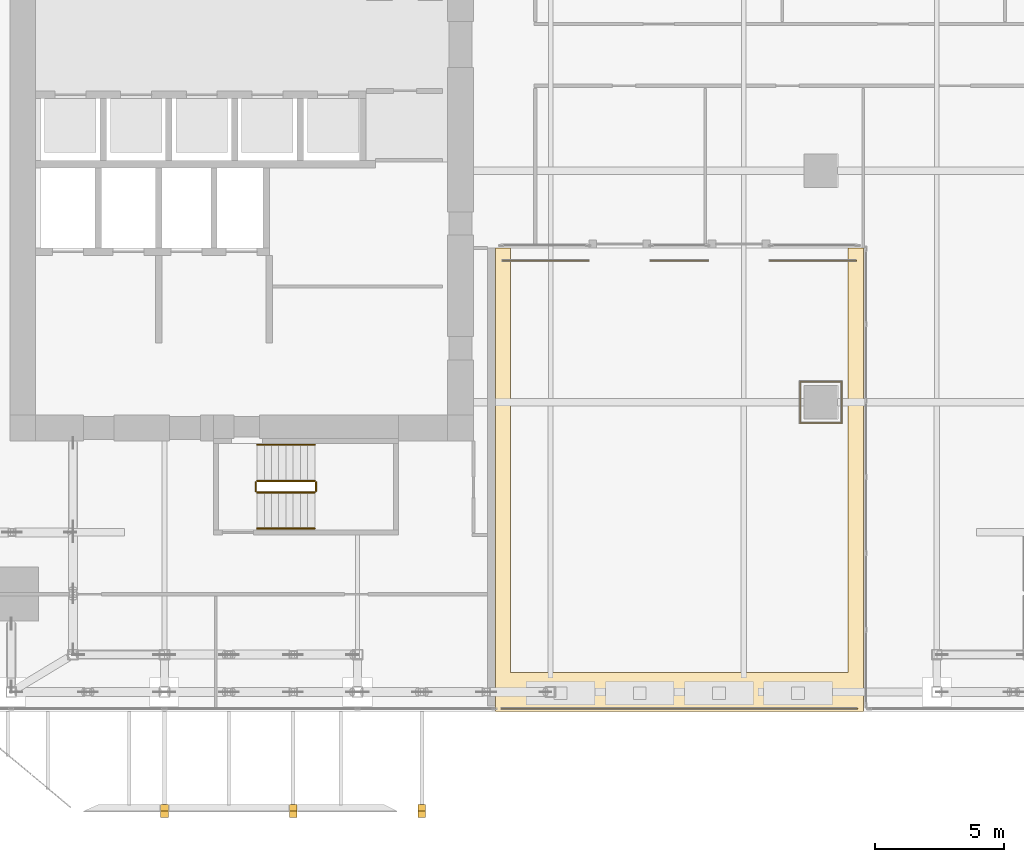
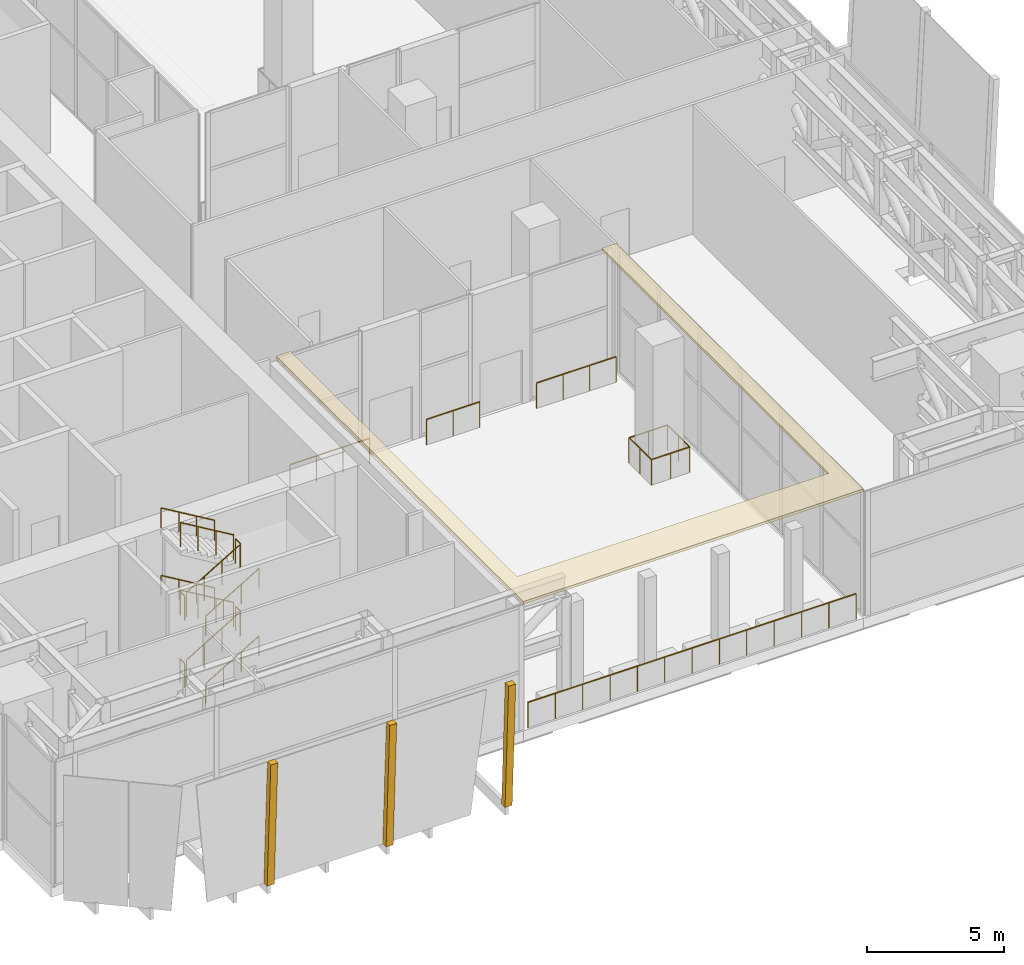
# One storey, part 44 of 47: 20 railings, 4 coverings.
"""IFC4 building model written with IfcOpenShell, lengths in metres."""

import ifcopenshell
import ifcopenshell.guid

model = None  # the IFC model being written
_history = None  # IfcOwnerHistory: only IFC2X3 demands one
_inside = {}  # id of a spatial element -> (the spatial element, [elements in it])
_under = {}  # id of a project, library or spatial element -> (it, [spatial elements below it])
_declared = {}  # id of a project -> (the project, [libraries it declares])
_typed = {}  # id of a type object -> (the type object, [elements of that type])
_made_of = {}  # id of a material, layer set ... -> (it, [elements and type objects made of it])


def new_model(schema):
    """Start an empty IFC model of exactly this schema.

    Asked for "IFC4X3", IfcOpenShell would pick the latest addendum, in which some entities
    have other attributes; the version numbers below select the first issue.
    IFC2X3 requires an IfcOwnerHistory on every rooted entity: one is made here for all.
    """
    global model, _history
    if schema == "IFC4X3":
        model = ifcopenshell.file(schema_version=(4, 3, 0, 0))
    else:
        model = ifcopenshell.file(schema=schema)
    _inside.clear()
    _under.clear()
    _declared.clear()
    _typed.clear()
    _made_of.clear()
    _history = None
    if model.schema == "IFC2X3":
        org = make("IfcOrganization", Name="unknown")
        user = make(
            "IfcPersonAndOrganization",
            ThePerson=make("IfcPerson", FamilyName="unknown"),
            TheOrganization=org,
        )
        app = make(
            "IfcApplication",
            ApplicationDeveloper=org,
            Version="unknown",
            ApplicationFullName="unknown",
            ApplicationIdentifier="unknown",
        )
        _history = make(
            "IfcOwnerHistory",
            OwningUser=user,
            OwningApplication=app,
            ChangeAction="ADDED",
            CreationDate=0,
        )
    return model


def make(cls, **values):
    """One entity of the class cls with the attributes given. An attribute that is None is left unset."""
    return model.create_entity(
        cls, **{name: value for name, value in values.items() if value is not None}
    )


def rooted(cls, **values):
    """An entity with a GlobalId (a new one), such as an element, a storey or a relation."""
    return make(cls, GlobalId=ifcopenshell.guid.new(), OwnerHistory=_history, **values)


def si_unit(unit_type, name, prefix=None):
    """IfcSIUnit, for example si_unit("LENGTHUNIT", "METRE", prefix="MILLI")."""
    return make("IfcSIUnit", UnitType=unit_type, Prefix=prefix, Name=name)


def assignment(units):
    """IfcUnitAssignment: the units of a project."""
    return None if units is None else make("IfcUnitAssignment", Units=units)


def point(xyz):
    """IfcCartesianPoint."""
    return None if xyz is None else make("IfcCartesianPoint", Coordinates=xyz)


def direction(xyz):
    """IfcDirection."""
    return None if xyz is None else make("IfcDirection", DirectionRatios=xyz)


def frame(location, z_axis=None, x_axis=None):
    """IfcAxis2Placement3D, a coordinate frame: its origin and axes. An axis left out is left unset."""
    return make(
        "IfcAxis2Placement3D",
        Location=point(location),
        Axis=direction(z_axis),
        RefDirection=direction(x_axis),
    )


def frame_2d(location, x_axis=None):
    """IfcAxis2Placement2D, a coordinate frame in the plane: its origin and x axis."""
    return make(
        "IfcAxis2Placement2D", Location=point(location), RefDirection=direction(x_axis)
    )


def origin():
    """The frame at (0, 0, 0) with its axes left unset."""
    return frame((0.0, 0.0, 0.0))


def origin_2d():
    """The frame at (0, 0) in the plane with its x axis left unset."""
    return frame_2d((0.0, 0.0))


def place(relative_to, where):
    """IfcLocalPlacement: puts the frame where relative to a parent placement (None: the world)."""
    return make(
        "IfcLocalPlacement", PlacementRelTo=relative_to, RelativePlacement=where
    )


def context(
    kind, dimensions, precision=None, world=None, true_north=None, identifier=None
):
    """IfcGeometricRepresentationContext, for example the 3D "Model" context."""
    return make(
        "IfcGeometricRepresentationContext",
        ContextIdentifier=identifier,
        ContextType=kind,
        CoordinateSpaceDimension=dimensions,
        Precision=precision,
        WorldCoordinateSystem=world,
        TrueNorth=true_north,
    )


def subcontext(parent, identifier, kind, view, scale=None):
    """IfcGeometricRepresentationSubContext, for example "Body" below "Model"."""
    return make(
        "IfcGeometricRepresentationSubContext",
        ContextIdentifier=identifier,
        ContextType=kind,
        ParentContext=parent,
        TargetScale=scale,
        TargetView=view,
    )


def project(units=None, contexts=None):
    """IfcProject with its units and contexts."""
    return rooted(
        "IfcProject",
        Name="project",
        RepresentationContexts=contexts,
        UnitsInContext=assignment(units),
    )


def spatial(cls, under=None, at=None, **own):
    """A site, building, storey or space (cls), placed at a placement, below another one or the project."""
    s = rooted(cls, ObjectPlacement=at, **own)
    if under is not None:
        _under.setdefault(under.id(), (under, []))[1].append(s)
    return s


def polyline(points):
    """IfcPolyline through the points."""
    return make("IfcPolyline", Points=[point(p) for p in points])


def profile(cls, at=None, kind="AREA", **sizes):
    """A parametric profile (cls). Its sizes go by their IFC names, for example OverallWidth=200.0."""
    return make(cls, ProfileType=kind, Position=at, **sizes)


def circle(**sizes):
    """IfcCircleProfileDef."""
    return profile("IfcCircleProfileDef", **sizes)


def outline(outer, holes=None, kind="AREA"):
    """IfcArbitraryClosedProfileDef: a profile drawn as a closed curve; with holes, ...WithVoids."""
    if holes is None:
        return make("IfcArbitraryClosedProfileDef", ProfileType=kind, OuterCurve=outer)
    return make(
        "IfcArbitraryProfileDefWithVoids",
        ProfileType=kind,
        OuterCurve=outer,
        InnerCurves=holes,
    )


def extrude(swept, where, along, depth):
    """IfcExtrudedAreaSolid: the profile swept, set in the frame where, extruded along a direction by depth."""
    return make(
        "IfcExtrudedAreaSolid",
        SweptArea=swept,
        Position=where,
        ExtrudedDirection=direction(along),
        Depth=depth,
    )


def shape(context_of_items, identifier, shape_type, items):
    """IfcShapeRepresentation: the items that make up one representation, for example the "Body"."""
    return make(
        "IfcShapeRepresentation",
        ContextOfItems=context_of_items,
        RepresentationIdentifier=identifier,
        RepresentationType=shape_type,
        Items=items,
    )


def source(mapping_origin, context_of_items, identifier, shape_type, items):
    """IfcRepresentationMap: a shape defined once, which mapped items show again and again."""
    return make(
        "IfcRepresentationMap",
        MappingOrigin=mapping_origin,
        MappedRepresentation=shape(context_of_items, identifier, shape_type, items),
    )


def transform(
    local_origin,
    x_axis=None,
    y_axis=None,
    z_axis=None,
    scale=None,
    scale2=None,
    scale3=None,
    uniform=True,
):
    """IfcCartesianTransformationOperator3D, or its non-uniform kind. x_axis, y_axis, z_axis: its Axis1, 2, 3."""
    if uniform:
        return make(
            "IfcCartesianTransformationOperator3D",
            Axis1=direction(x_axis),
            Axis2=direction(y_axis),
            LocalOrigin=point(local_origin),
            Scale=scale,
            Axis3=direction(z_axis),
        )
    return make(
        "IfcCartesianTransformationOperator3DnonUniform",
        Axis1=direction(x_axis),
        Axis2=direction(y_axis),
        LocalOrigin=point(local_origin),
        Scale=scale,
        Axis3=direction(z_axis),
        Scale2=scale2,
        Scale3=scale3,
    )


def mapped(mapping_source, mapping_target):
    """IfcMappedItem: shows the shape of a source again, moved by a transform."""
    return make(
        "IfcMappedItem", MappingSource=mapping_source, MappingTarget=mapping_target
    )


def material(Name=None, Category=None):
    """IfcMaterial."""
    return make("IfcMaterial", Name=Name, Category=Category)


def layer(
    of_material, thickness, ventilated=None, Name=None, Category=None, Priority=None
):
    """IfcMaterialLayer: one layer of a wall or slab, of a material (None: an air gap)."""
    return make(
        "IfcMaterialLayer",
        Material=of_material,
        LayerThickness=thickness,
        IsVentilated=ventilated,
        Name=Name,
        Category=Category,
        Priority=Priority,
    )


def layer_set(layers, Name=None):
    """IfcMaterialLayerSet."""
    return make("IfcMaterialLayerSet", MaterialLayers=layers, LayerSetName=Name)


def made_of(thing, what):
    """Note that an element or type object is made of a material, layer set ...; save() writes the relation."""
    if what is not None:
        _made_of.setdefault(what.id(), (what, []))[1].append(thing)
    return thing


def type_object(cls, material=None, **own):
    """A type object (cls), such as IfcWallType, which elements share."""
    return made_of(rooted(cls, **own), material)


def element(
    cls,
    number,
    at=None,
    inside=None,
    cuts=None,
    type_object=None,
    material=None,
    context=None,
    identifier="Body",
    shape_type=None,
    held_by="IfcProductDefinitionShape",
    body=None,
    shapes=None,
    **own,
):
    """One element of the class cls, such as IfcWall. Its Tag is "e" and its number.

    at: its placement. inside: the storey or other place that contains it. cuts: it is an
    opening in that element (IfcRelVoidsElement). A single representation is given by context,
    identifier, shape_type and body (its items); several are given by shapes. held_by: the class
    of the entity that holds the representations. save() writes the other relations.
    """
    e = rooted(cls, Tag="e%d" % number, ObjectPlacement=at, **own)
    if body is not None:
        shapes = [shape(context, identifier, shape_type, body)]
    if shapes is not None:
        e.Representation = make(held_by, Representations=shapes)
    if inside is not None:
        _inside.setdefault(inside.id(), (inside, []))[1].append(e)
    if cuts is not None:
        rooted(
            "IfcRelVoidsElement", RelatingBuildingElement=cuts, RelatedOpeningElement=e
        )
    if type_object is not None:
        _typed.setdefault(type_object.id(), (type_object, []))[1].append(e)
    return made_of(e, material)


def aggregate(whole, parts):
    """IfcRelAggregates: a whole, such as a stair, and the parts it consists of."""
    return rooted("IfcRelAggregates", RelatingObject=whole, RelatedObjects=parts)


def save(model, path):
    """Write the relations noted so far, then the file.

    IfcRelAggregates (storeys below a building ...), IfcRelContainedInSpatialStructure (elements
    in a storey), IfcRelDefinesByType, IfcRelAssociatesMaterial and IfcRelDeclares: one each for
    every whole, place, type object, material and project.
    """
    for whole, parts in _under.values():
        aggregate(whole, parts)
    for where, things in _inside.values():
        rooted(
            "IfcRelContainedInSpatialStructure",
            RelatedElements=things,
            RelatingStructure=where,
        )
    for kind, things in _typed.values():
        rooted("IfcRelDefinesByType", RelatedObjects=things, RelatingType=kind)
    for what, things in _made_of.values():
        rooted("IfcRelAssociatesMaterial", RelatedObjects=things, RelatingMaterial=what)
    for by, libraries in _declared.values():
        rooted("IfcRelDeclares", RelatingContext=by, RelatedDefinitions=libraries)
    model.write(path)


model = new_model("IFC4")

# Units and contexts
model_context = context("Model", 3, precision=1e-05, world=origin(), true_north=direction((0.0, 1.0)))
body_context = subcontext(model_context, "Body", "Model", "MODEL_VIEW")
ifc_project = project(units=[si_unit("LENGTHUNIT", "METRE"), si_unit("AREAUNIT", "SQUARE_METRE"), si_unit("VOLUMEUNIT", "CUBIC_METRE"), si_unit("PLANEANGLEUNIT", "RADIAN"), si_unit("MASSUNIT", "GRAM", prefix="KILO")], contexts=[model_context])

# Site, building, storey
site_placement = place(None, origin())
site = spatial("IfcSite", under=ifc_project, at=site_placement, CompositionType="ELEMENT")
building_placement = place(site_placement, origin())
building = spatial("IfcBuilding", under=site, at=building_placement, Name="Khomas Fold Tower", CompositionType="ELEMENT")
storey_placement = place(building_placement, frame((0.0, 0.0, 158.699951171875)))
storey = spatial("IfcBuildingStorey", under=building, at=storey_placement, Name="L34", CompositionType="ELEMENT", Elevation=158.699951171875)

# Coverings
ifc_material_1 = material(Name="Natural stone cladding", Category="masonry")
ifc_layer_1 = layer(ifc_material_1, 0.25)
ifc_layer_set_1 = layer_set([ifc_layer_1], Name="Natural stone cladding")
covering_type_1 = type_object("IfcCoveringType", Name="SK-Karibib marble stone mullion", PredefinedType="CLADDING", material=ifc_layer_set_1)
for number, where, z_axis, x_axis, name in (
    (1, (11.85009765625, -2.115234375, 0.0), (0.0, 0.998875482157, 0.047410664903), (0.0, -0.047410664903, 0.998875482157), "OUTER SKIN mullion L34 SM100-4"),
    (2, (16.85009765625, -2.115234375, 0.0), (0.0, 0.998875482157, 0.047410664903), (0.0, -0.047410664903, 0.998875482157), "OUTER SKIN mullion L34 SM101-6"),
    (3, (21.85009765625, -2.115234375, 0.0), (0.0, 0.998875482157, 0.047410664903), (0.0, -0.047410664903, 0.998875482157), "OUTER SKIN mullion L34 SM102-8"),
):
    element("IfcCovering", number, at=place(storey_placement, frame(where, z_axis=z_axis, x_axis=x_axis)), inside=storey, type_object=covering_type_1, Name=name, PredefinedType="CLADDING", context=body_context, shape_type="SweptSolid", body=[
        extrude(outline(polyline([(0.0, 0.0), (5.556296983226296, 0.0), (5.556296983226296, 0.2998046875), (0.0, 0.2998046875), (0.0, 0.0)])), origin(), (0.0, 0.0, -1.0), 0.25),
    ])

# Railings
ifc_material_2 = material(Name="Powder-coated steel", Category="steel")
railing_type_1 = type_object("IfcRailingType", Name="Balcony guard", PredefinedType="GUARDRAIL", material=ifc_material_2)
shared_shape_1 = source(origin(), body_context, "Body", "SweptSolid", [
    extrude(circle(Radius=0.02490234375, at=origin_2d()), frame((0.0, 0.0, 1.125), z_axis=(0.0, 1.0, 0.0), x_axis=(-1.0, 0.0, 0.0)), (0.0, 0.0, 1.0), 1.60986328125),
    extrude(circle(Radius=0.02490234375, at=origin_2d()), frame((0.0, 1.60986328125, 1.125), z_axis=(1.0, 0.0, 0.0), x_axis=(0.0, 1.0, 0.0)), (0.0, 0.0, 1.0), 1.60986328125),
    extrude(circle(Radius=0.02490234375, at=origin_2d()), frame((1.60986328125, 1.60986328125, 1.125), z_axis=(0.0, -1.0, 0.0), x_axis=(1.0, 0.0, 0.0)), (0.0, 0.0, 1.0), 1.60986328125),
    extrude(circle(Radius=0.02001953125, at=origin_2d()), origin(), (0.0, 0.0, 1.0), 1.099853515625),
    extrude(circle(Radius=0.02001953125, at=origin_2d()), frame((0.0, 0.804931640625, 0.0)), (0.0, 0.0, 1.0), 1.099853515625),
    extrude(circle(Radius=0.02001953125, at=origin_2d()), frame((0.0, 1.60986328125, 0.0)), (0.0, 0.0, 1.0), 1.099853515625),
    extrude(circle(Radius=0.02001953125, at=origin_2d()), frame((0.804931640625, 1.60986328125, 0.0)), (0.0, 0.0, 1.0), 1.099853515625),
    extrude(circle(Radius=0.02001953125, at=origin_2d()), frame((1.60986328125, 1.60986328125, 0.0)), (0.0, 0.0, 1.0), 1.099853515625),
    extrude(circle(Radius=0.02001953125, at=origin_2d()), frame((1.60986328125, 0.804931640625, 0.0)), (0.0, 0.0, 1.0), 1.099853515625),
    extrude(circle(Radius=0.02001953125, at=origin_2d()), frame((1.60986328125, 0.0, 0.0)), (0.0, 0.0, 1.0), 1.099853515625),
])
railing_1_placement = place(storey_placement, frame((36.695068359375, 12.695068359375, 0.0)))
element("IfcRailing", 4, at=railing_1_placement, inside=storey, type_object=railing_type_1, Name="GUARD 211", PredefinedType="GUARDRAIL", context=body_context, shape_type="MappedRepresentation", body=[
    mapped(shared_shape_1, transform((0.0, 0.0, 0.0))),
])
shared_shape_2 = source(origin(), body_context, "Body", "SweptSolid", [
    extrude(circle(Radius=0.02490234375, at=origin_2d()), frame((0.0, 0.0, 1.125), z_axis=(-1.0, 0.0, 0.0), x_axis=(0.0, -1.0, 0.0)), (0.0, 0.0, 1.0), 1.60986328125),
    extrude(circle(Radius=0.02001953125, at=origin_2d()), origin(), (0.0, 0.0, 1.0), 1.099853515625),
    extrude(circle(Radius=0.02001953125, at=origin_2d()), frame((-0.804931640625, 0.0, 0.0)), (0.0, 0.0, 1.0), 1.099853515625),
    extrude(circle(Radius=0.02001953125, at=origin_2d()), frame((-1.60986328125, 0.0, 0.0)), (0.0, 0.0, 1.0), 1.099853515625),
])
railing_2_placement = place(storey_placement, frame((38.304931640625, 12.695068359375, 0.0)))
element("IfcRailing", 5, at=railing_2_placement, inside=storey, type_object=railing_type_1, Name="GUARD 211", PredefinedType="GUARDRAIL", context=body_context, shape_type="MappedRepresentation", body=[
    mapped(shared_shape_2, transform((0.0, 0.0, 0.0))),
])
shared_shape_3 = source(origin(), body_context, "Body", "SweptSolid", [
    extrude(circle(Radius=0.02490234375, at=origin_2d()), frame((0.0, 0.0, 1.125), z_axis=(-1.0, 0.0, 0.0), x_axis=(0.0, -1.0, 0.0)), (0.0, 0.0, 1.0), 4.599853515625),
    extrude(circle(Radius=0.02001953125, at=origin_2d()), origin(), (0.0, 0.0, 1.0), 1.099853515625),
    extrude(circle(Radius=0.02001953125, at=origin_2d()), frame((-1.14990234375, 0.0, 0.0)), (0.0, 0.0, 1.0), 1.099853515625),
    extrude(circle(Radius=0.02001953125, at=origin_2d()), frame((-2.2998046875, 0.0, 0.0)), (0.0, 0.0, 1.0), 1.099853515625),
    extrude(circle(Radius=0.02001953125, at=origin_2d()), frame((-3.449951171875, 0.0, 0.0)), (0.0, 0.0, 1.0), 1.099853515625),
    extrude(circle(Radius=0.02001953125, at=origin_2d()), frame((-4.599853515625, 0.0, 0.0)), (0.0, 0.0, 1.0), 1.099853515625),
])
for number, where, name in (
    (6, (38.89990234375, 1.60009765625, 0.0), "GUARD 211"),
    (7, (29.699951171875, 1.60009765625, 0.0), "GUARD 211"),
):
    element("IfcRailing", number, at=place(storey_placement, frame(where)), inside=storey, type_object=railing_type_1, Name=name, PredefinedType="GUARDRAIL", context=body_context, shape_type="MappedRepresentation", body=[
        mapped(shared_shape_3, transform((0.0, 0.0, 0.0))),
    ])
shared_shape_4 = source(origin(), body_context, "Body", "SweptSolid", [
    extrude(circle(Radius=0.02490234375, at=origin_2d()), frame((0.0, 0.0, 1.125), z_axis=(-1.0, 0.0, 0.0), x_axis=(0.0, -1.0, 0.0)), (0.0, 0.0, 1.0), 4.60009765625),
    extrude(circle(Radius=0.02001953125, at=origin_2d()), origin(), (0.0, 0.0, 1.0), 1.099853515625),
    extrude(circle(Radius=0.02001953125, at=origin_2d()), frame((-1.14990234375, 0.0, 0.0)), (0.0, 0.0, 1.0), 1.099853515625),
    extrude(circle(Radius=0.02001953125, at=origin_2d()), frame((-2.300048828125, 0.0, 0.0)), (0.0, 0.0, 1.0), 1.099853515625),
    extrude(circle(Radius=0.02001953125, at=origin_2d()), frame((-3.4501953125, 0.0, 0.0)), (0.0, 0.0, 1.0), 1.099853515625),
    extrude(circle(Radius=0.02001953125, at=origin_2d()), frame((-4.60009765625, 0.0, 0.0)), (0.0, 0.0, 1.0), 1.099853515625),
])
railing_3_placement = place(storey_placement, frame((34.300048828125, 1.60009765625, 0.0)))
element("IfcRailing", 8, at=railing_3_placement, inside=storey, type_object=railing_type_1, Name="GUARD 211", PredefinedType="GUARDRAIL", context=body_context, shape_type="MappedRepresentation", body=[
    mapped(shared_shape_4, transform((0.0, 0.0, 0.0))),
])
shared_shape_5 = source(origin(), body_context, "Body", "SweptSolid", [
    extrude(circle(Radius=0.02490234375, at=origin_2d()), frame((0.0, 0.0, 1.125), z_axis=(1.0, 0.0, 0.0), x_axis=(0.0, 1.0, 0.0)), (0.0, 0.0, 1.0), 3.33349609375),
    extrude(circle(Radius=0.02001953125, at=origin_2d()), origin(), (0.0, 0.0, 1.0), 1.099853515625),
    extrude(circle(Radius=0.02001953125, at=origin_2d()), frame((1.111083984375, 0.0, 0.0)), (0.0, 0.0, 1.0), 1.099853515625),
    extrude(circle(Radius=0.02001953125, at=origin_2d()), frame((2.222412109375, 0.0, 0.0)), (0.0, 0.0, 1.0), 1.099853515625),
    extrude(circle(Radius=0.02001953125, at=origin_2d()), frame((3.33349609375, 0.0, 0.0)), (0.0, 0.0, 1.0), 1.099853515625),
])
for number, where, name in (
    (9, (25.14990234375, 19.0, 0.0), "GUARD 211"),
    (10, (35.5166015625, 19.0, 0.0), "GUARD 211"),
):
    element("IfcRailing", number, at=place(storey_placement, frame(where)), inside=storey, type_object=railing_type_1, Name=name, PredefinedType="GUARDRAIL", context=body_context, shape_type="MappedRepresentation", body=[
        mapped(shared_shape_5, transform((0.0, 0.0, 0.0))),
    ])
shared_shape_6 = source(origin(), body_context, "Body", "SweptSolid", [
    extrude(circle(Radius=0.02490234375, at=origin_2d()), frame((0.0, 0.0, 1.125), z_axis=(1.0, 0.0, 0.0), x_axis=(0.0, 1.0, 0.0)), (0.0, 0.0, 1.0), 2.2333984375),
    extrude(circle(Radius=0.02001953125, at=origin_2d()), origin(), (0.0, 0.0, 1.0), 1.099853515625),
    extrude(circle(Radius=0.02001953125, at=origin_2d()), frame((1.11669921875, 0.0, 0.0)), (0.0, 0.0, 1.0), 1.099853515625),
    extrude(circle(Radius=0.02001953125, at=origin_2d()), frame((2.2333984375, 0.0, 0.0)), (0.0, 0.0, 1.0), 1.099853515625),
])
railing_4_placement = place(storey_placement, frame((30.88330078125, 19.0, 0.0)))
element("IfcRailing", 11, at=railing_4_placement, inside=storey, type_object=railing_type_1, Name="GUARD 211", PredefinedType="GUARDRAIL", context=body_context, shape_type="MappedRepresentation", body=[
    mapped(shared_shape_6, transform((0.0, 0.0, 0.0))),
])

# Covering
ifc_material_3 = material(Name="Natural stone cladding", Category="masonry")
ifc_layer_2 = layer(ifc_material_3, 0.1201171875)
ifc_layer_set_2 = layer_set([ifc_layer_2], Name="Natural stone cladding")
covering_type_2 = type_object("IfcCoveringType", Name="Notch soffit stone GN-SF", PredefinedType="CLADDING", material=ifc_layer_set_2)
shared_shape_7 = source(origin(), body_context, "Body", "SweptSolid", [
    extrude(outline(polyline([(38.550048828125, 19.5), (38.550048828125, 3.0), (25.449951171875, 3.0), (25.449951171875, 19.5), (24.85009765625, 19.5), (24.85009765625, 1.5), (39.14990234375, 1.5), (39.14990234375, 19.5), (38.550048828125, 19.5)])), origin(), (0.0, 0.0, 1.0), 0.119873046875),
])
covering_placement = place(storey_placement, frame((0.0, 0.0, 5.630126953125)))
element("IfcCovering", 12, at=covering_placement, inside=storey, type_object=covering_type_2, Name="Notch soffit stone", PredefinedType="CLADDING", context=body_context, shape_type="MappedRepresentation", body=[
    mapped(shared_shape_7, transform((0.0, 0.0, 0.0))),
])

# Railings
ifc_material_4 = material(Name="Steel balustrade", Category="steel")
railing_type_2 = type_object("IfcRailingType", Name="Stair guard", PredefinedType="GUARDRAIL", material=ifc_material_4)
shared_shape_8 = source(origin(), body_context, "Body", "SweptSolid", [
    extrude(circle(Radius=0.02392578125, at=origin_2d()), frame((0.0, 0.0, 1.076171875), z_axis=(0.0, 1.0, 0.0), x_axis=(-1.0, 0.0, 0.0)), (0.0, 0.0, 1.0), 0.349853515625),
    extrude(circle(Radius=0.02099609375, at=origin_2d()), origin(), (0.0, 0.0, 1.0), 1.052001953125),
    extrude(circle(Radius=0.02099609375, at=origin_2d()), frame((0.0, 0.349853515625, 0.0)), (0.0, 0.0, 1.0), 1.052001953125),
])
for number, where, name in (
    (13, (17.889892578125, 10.050048828125, 1.5), "L34 ST2 stair guard 2"),
    (14, (15.550048828125, 10.050048828125, 3.0), "L34 ST2 stair guard 4"),
    (15, (17.889892578125, 10.050048828125, 4.5), "L34 ST2 stair guard 6"),
    (16, (15.550048828125, 10.050048828125, 0.0), "L34 ST2 stair guard 8"),
):
    element("IfcRailing", number, at=place(storey_placement, frame(where)), inside=storey, type_object=railing_type_2, Name=name, PredefinedType="GUARDRAIL", context=body_context, shape_type="MappedRepresentation", body=[
        mapped(shared_shape_8, transform((0.0, 0.0, 0.0))),
    ])
shared_shape_9 = source(origin(), body_context, "Body", "SweptSolid", [
    extrude(circle(Radius=0.02392578125, at=origin_2d()), frame((0.0, 0.0, 1.076171875), z_axis=(0.859305625298, 0.0, 0.511462454469), x_axis=(0.0, 1.0, 0.0)), (0.0, 0.0, 1.0), 2.606689453125),
    extrude(circle(Radius=0.02099609375, at=origin_2d()), origin(), (0.0, 0.0, 1.0), 1.052001953125),
    extrude(circle(Radius=0.02099609375, at=origin_2d()), frame((0.74658203125, 0.0, 0.4443359375)), (0.0, 0.0, 1.0), 1.052001953125),
    extrude(circle(Radius=0.02099609375, at=origin_2d()), frame((1.493408203125, 0.0, 0.888916015625)), (0.0, 0.0, 1.0), 1.052001953125),
    extrude(circle(Radius=0.02099609375, at=origin_2d()), frame((2.239990234375, 0.0, 1.333251953125)), (0.0, 0.0, 1.0), 1.052001953125),
])
for number, where, name in (
    (17, (15.60009765625, 10.0, 0.166748046875), "L34 ST2 stair guard 1"),
    (18, (15.60009765625, 10.0, 3.166748046875), "L34 ST2 stair guard 5"),
):
    element("IfcRailing", number, at=place(storey_placement, frame(where)), inside=storey, type_object=railing_type_2, Name=name, PredefinedType="GUARDRAIL", context=body_context, shape_type="MappedRepresentation", body=[
        mapped(shared_shape_9, transform((0.0, 0.0, 0.0))),
    ])
shared_shape_10 = source(origin(), body_context, "Body", "SweptSolid", [
    extrude(circle(Radius=0.02392578125, at=origin_2d()), frame((0.0, 0.0, 1.076171875), z_axis=(-0.859305625298, 0.0, 0.511462454469), x_axis=(0.0, -1.0, 0.0)), (0.0, 0.0, 1.0), 2.606689453125),
    extrude(circle(Radius=0.02099609375, at=origin_2d()), origin(), (0.0, 0.0, 1.0), 1.052001953125),
    extrude(circle(Radius=0.02099609375, at=origin_2d()), frame((-0.74658203125, 0.0, 0.4443359375)), (0.0, 0.0, 1.0), 1.052001953125),
    extrude(circle(Radius=0.02099609375, at=origin_2d()), frame((-1.493408203125, 0.0, 0.888916015625)), (0.0, 0.0, 1.0), 1.052001953125),
    extrude(circle(Radius=0.02099609375, at=origin_2d()), frame((-2.239990234375, 0.0, 1.333251953125)), (0.0, 0.0, 1.0), 1.052001953125),
])
for number, where, name in (
    (19, (17.840087890625, 10.449951171875, 1.666748046875), "L34 ST2 stair guard 3"),
    (20, (17.840087890625, 10.449951171875, 4.666748046875), "L34 ST2 stair guard 7"),
):
    element("IfcRailing", number, at=place(storey_placement, frame(where)), inside=storey, type_object=railing_type_2, Name=name, PredefinedType="GUARDRAIL", context=body_context, shape_type="MappedRepresentation", body=[
        mapped(shared_shape_10, transform((0.0, 0.0, 0.0))),
    ])
ifc_material_5 = material(Name="Steel handrail", Category="steel")
railing_type_3 = type_object("IfcRailingType", Name="Stair handrail", PredefinedType="HANDRAIL", material=ifc_material_5)
shared_shape_11 = source(origin(), body_context, "Body", "SweptSolid", [
    extrude(circle(Radius=0.02392578125, at=origin_2d()), frame((0.0, 0.0, 0.8759765625), z_axis=(0.859305625298, 0.0, 0.511462454469), x_axis=(0.0, 1.0, 0.0)), (0.0, 0.0, 1.0), 2.606689453125),
    extrude(circle(Radius=0.02099609375, at=origin_2d()), origin(), (0.0, 0.0, 1.0), 0.851806640625),
    extrude(circle(Radius=0.02099609375, at=origin_2d()), frame((0.74658203125, 0.0, 0.4443359375)), (0.0, 0.0, 1.0), 0.851806640625),
    extrude(circle(Radius=0.02099609375, at=origin_2d()), frame((1.493408203125, 0.0, 0.888916015625)), (0.0, 0.0, 1.0), 0.851806640625),
    extrude(circle(Radius=0.02099609375, at=origin_2d()), frame((2.239990234375, 0.0, 1.333251953125)), (0.0, 0.0, 1.0), 0.851806640625),
])
for number, where, name in (
    (21, (15.60009765625, 8.60009765625, 0.166748046875), "L34 ST2 stair handrail 1"),
    (22, (15.60009765625, 8.60009765625, 3.166748046875), "L34 ST2 stair handrail 3"),
):
    element("IfcRailing", number, at=place(storey_placement, frame(where)), inside=storey, type_object=railing_type_3, Name=name, PredefinedType="HANDRAIL", context=body_context, shape_type="MappedRepresentation", body=[
        mapped(shared_shape_11, transform((0.0, 0.0, 0.0))),
    ])
shared_shape_12 = source(origin(), body_context, "Body", "SweptSolid", [
    extrude(circle(Radius=0.02392578125, at=origin_2d()), frame((0.0, 0.0, 0.8759765625), z_axis=(-0.859305625298, 0.0, 0.511462454469), x_axis=(0.0, -1.0, 0.0)), (0.0, 0.0, 1.0), 2.606689453125),
    extrude(circle(Radius=0.02099609375, at=origin_2d()), origin(), (0.0, 0.0, 1.0), 0.851806640625),
    extrude(circle(Radius=0.02099609375, at=origin_2d()), frame((-0.74658203125, 0.0, 0.4443359375)), (0.0, 0.0, 1.0), 0.851806640625),
    extrude(circle(Radius=0.02099609375, at=origin_2d()), frame((-1.493408203125, 0.0, 0.888916015625)), (0.0, 0.0, 1.0), 0.851806640625),
    extrude(circle(Radius=0.02099609375, at=origin_2d()), frame((-2.239990234375, 0.0, 1.333251953125)), (0.0, 0.0, 1.0), 0.851806640625),
])
for number, where, name in (
    (23, (17.840087890625, 11.85009765625, 1.666748046875), "L34 ST2 stair handrail 2"),
    (24, (17.840087890625, 11.85009765625, 4.666748046875), "L34 ST2 stair handrail 4"),
):
    element("IfcRailing", number, at=place(storey_placement, frame(where)), inside=storey, type_object=railing_type_3, Name=name, PredefinedType="HANDRAIL", context=body_context, shape_type="MappedRepresentation", body=[
        mapped(shared_shape_12, transform((0.0, 0.0, 0.0))),
    ])

save(model, "model.ifc")
